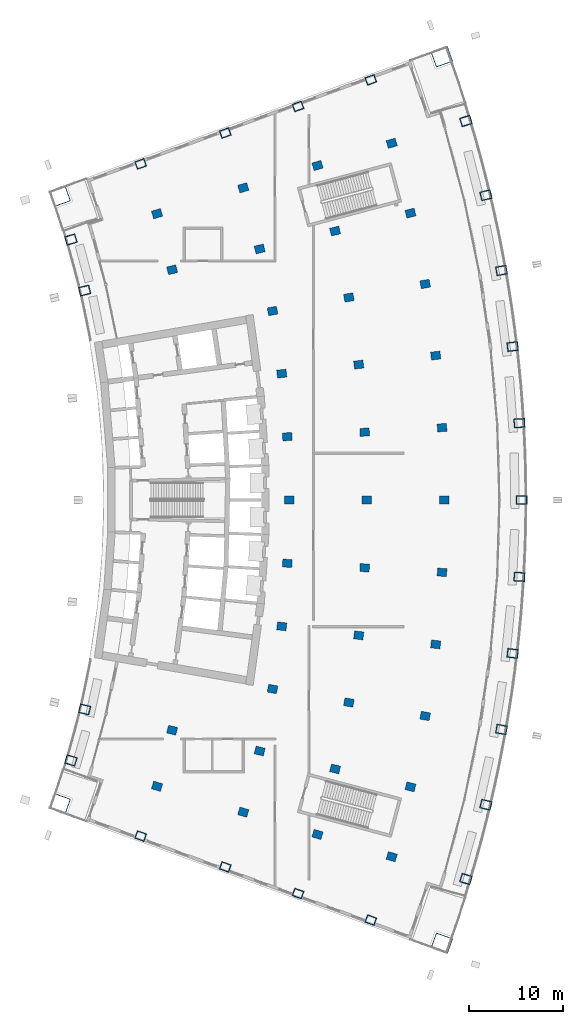
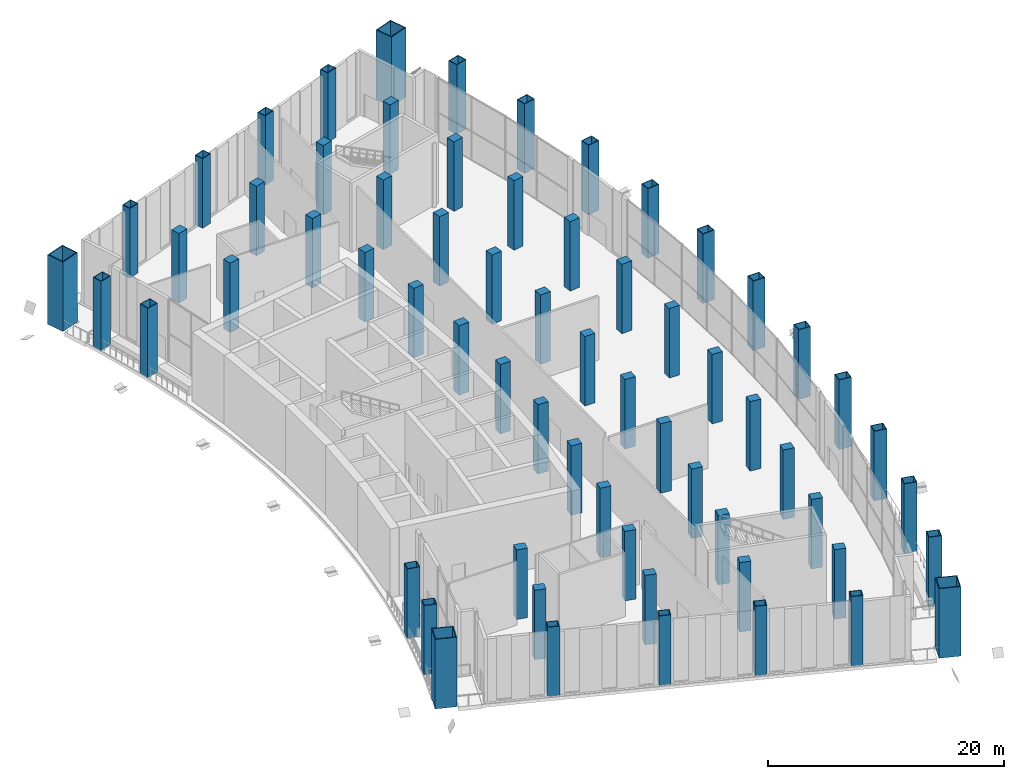
# One storey, part 1 of 18: 64 columns.
"""IFC4 building model written with IfcOpenShell, lengths in metres."""

from ifc_helpers import new_model, si_unit, direction, frame, origin, origin_2d, place, context, subcontext, project, spatial, rectangle, hollow_rectangle, extrude, material, material_profile, profile_set, type_object, element, save


model = new_model("IFC4")

# Units and contexts
model_context = context("Model", 3, precision=1e-05, world=origin(), true_north=direction((0.0, 1.0)))
body_context = subcontext(model_context, "Body", "Model", "MODEL_VIEW")
ifc_project = project(units=[si_unit("LENGTHUNIT", "METRE"), si_unit("AREAUNIT", "SQUARE_METRE"), si_unit("VOLUMEUNIT", "CUBIC_METRE"), si_unit("PLANEANGLEUNIT", "RADIAN"), si_unit("MASSUNIT", "GRAM", prefix="KILO")], contexts=[model_context])

# Site, building, storey
site_placement = place(None, origin())
site = spatial("IfcSite", under=ifc_project, at=site_placement, CompositionType="ELEMENT")
building_placement = place(site_placement, origin())
building = spatial("IfcBuilding", under=site, at=building_placement, Name="Alderwake Tower", CompositionType="ELEMENT")
storey_placement = place(building_placement, frame((0.0, 0.0, 125.60009765625)))
storey = spatial("IfcBuildingStorey", under=building, at=storey_placement, Name="L31", CompositionType="ELEMENT", Elevation=125.60009765625)

# Columns
ifc_material_1 = material(Name="Steel ASTM A572 Grade 50 concrete filled C70/85", Category="concrete")
ifc_material_profile_1 = material_profile(ifc_material_1, hollow_rectangle(XDim=0.85009765625, YDim=1.050048828125, WallThickness=0.06005859375, at=origin_2d()), Name="BOX 1050X850X60")
ifc_profile_set_1 = profile_set([ifc_material_profile_1], Name="Steel ASTM A572 Grade 50 concrete filled C70/85")
column_type_1 = type_object("IfcColumnType", Name="End column Z2", PredefinedType="COLUMN", material=ifc_profile_set_1)
for number, where, z_axis, x_axis, name in (
    (1, (19.965576171875, 25.1484375, 0.0), (0.0, 0.0, 1.0), (0.337584879279, 0.9412950915, 0.0), "Column R01-C1"),
    (2, (28.983642578125, 21.856689453125, 0.0), (0.0, 0.0, 1.0), (0.338026774049, 0.941136493834, 0.0), "Column R01-C2"),
    (3, (36.749267578125, 19.02197265625, 0.0), (0.0, 0.0, 1.0), (0.338351987283, 0.941019623973, 0.0), "Column R01-C3"),
    (4, (44.514892578125, 16.187255859375, 0.0), (0.0, 0.0, 1.0), (0.338634462954, 0.940918009446, 0.0), "Column R01-C4"),
    (5, (19.965576171875, 96.8515625, 0.0), (0.0, 0.0, 1.0), (-0.337584879279, 0.9412950915, 0.0), "Column R13-C1"),
    (6, (28.983642578125, 100.143310546875, 0.0), (0.0, 0.0, 1.0), (-0.338026774049, 0.941136493834, 0.0), "Column R13-C2"),
    (7, (36.749267578125, 102.97802734375, 0.0), (0.0, 0.0, 1.0), (-0.338351987283, 0.941019623973, 0.0), "Column R13-C3"),
    (8, (44.514892578125, 105.812744140625, 0.0), (0.0, 0.0, 1.0), (-0.338634462954, 0.940918009446, 0.0), "Column R13-C4"),
):
    element("IfcColumn", number, at=place(storey_placement, frame(where, z_axis=z_axis, x_axis=x_axis)), inside=storey, type_object=column_type_1, Name=name, PredefinedType="COLUMN", context=body_context, shape_type="SweptSolid", body=[
        extrude(hollow_rectangle(XDim=0.85009765625, YDim=1.050048828125, WallThickness=0.06005859375, at=origin_2d()), origin(), (0.0, 0.0, 1.0), 7.199951171875),
    ])
ifc_material_2 = material(Name="Concrete C70/85", Category="concrete")
ifc_material_profile_2 = material_profile(ifc_material_2, rectangle(XDim=0.85009765625, YDim=1.0, at=origin_2d()), Name="RC 1000X850")
ifc_profile_set_2 = profile_set([ifc_material_profile_2], Name="Concrete C70/85")
column_type_2 = type_object("IfcColumnType", Name="Interior column Z2", PredefinedType="COLUMN", material=ifc_profile_set_2)
for number, where, z_axis, x_axis, name in (
    (9, (21.714599609375, 30.46240234375, 0.0), (0.0, 0.0, 1.0), (0.287549418125, 0.957765802342, 0.0), "Column R02-C1"),
    (10, (30.9091796875, 27.701904296875, 0.0), (0.0, 0.0, 1.0), (0.287549418125, 0.957765802342, 0.0), "Column R02-C2"),
    (11, (38.826904296875, 25.32470703125, 0.0), (0.0, 0.0, 1.0), (0.287547746508, 0.957766304209, 0.0), "Column R02-C3"),
    (12, (46.744384765625, 22.94775390625, 0.0), (0.0, 0.0, 1.0), (0.287549418125, 0.957765802342, 0.0), "Column R02-C4"),
    (13, (23.322021484375, 36.444091796875, 0.0), (0.0, 0.0, 1.0), (0.231221547198, 0.972901123502, 0.0), "Column R03-C1"),
    (14, (32.661865234375, 34.224609375, 0.0), (0.0, 0.0, 1.0), (0.231221547198, 0.972901123502, 0.0), "Column R03-C2"),
    (15, (40.70458984375, 32.31298828125, 0.0), (0.0, 0.0, 1.0), (0.231221547198, 0.972901123502, 0.0), "Column R03-C3"),
    (16, (48.747314453125, 30.401611328125, 0.0), (0.0, 0.0, 1.0), (0.231221547198, 0.972901123502, 0.0), "Column R03-C4"),
    (17, (34.03125, 40.83837890625, 0.0), (0.0, 0.0, 1.0), (0.174108800747, 0.984726421654, 0.0), "Column R04-C2"),
    (18, (42.171875, 39.39892578125, 0.0), (0.0, 0.0, 1.0), (0.174107082075, 0.984726725529, 0.0), "Column R04-C3"),
    (19, (50.31201171875, 37.959716796875, 0.0), (0.0, 0.0, 1.0), (0.174108800747, 0.984726421654, 0.0), "Column R04-C4"),
    (20, (35.0126953125, 47.5205078125, 0.0), (0.0, 0.0, 1.0), (0.116402054316, 0.993202175668, 0.0), "Column R05-C2"),
    (21, (43.223388671875, 46.558349609375, 0.0), (0.0, 0.0, 1.0), (0.116402054316, 0.993202175668, 0.0), "Column R05-C3"),
    (22, (51.43359375, 45.59619140625, 0.0), (0.0, 0.0, 1.0), (0.116402054316, 0.993202175668, 0.0), "Column R05-C4"),
    (23, (35.60302734375, 54.248779296875, 0.0), (0.0, 0.0, 1.0), (0.058301061284, 0.998299046505, 0.0), "Column R06-C2"),
    (24, (43.855712890625, 53.766845703125, 0.0), (0.0, 0.0, 1.0), (0.058299318924, 0.998299148258, 0.0), "Column R06-C3"),
    (25, (52.108154296875, 53.284912109375, 0.0), (0.0, 0.0, 1.0), (0.058301061284, 0.998299046505, 0.0), "Column R06-C4"),
    (26, (35.800048828125, 61.0, 0.0), (0.0, 0.0, 1.0), (0.0, 1.0, 0.0), "Column R07-C2"),
    (27, (44.066650390625, 61.0, 0.0), (0.0, 0.0, 1.0), (0.0, 1.0, 0.0), "Column R07-C3"),
    (28, (52.333251953125, 61.0, 0.0), (0.0, 0.0, 1.0), (0.0, 1.0, 0.0), "Column R07-C4"),
    (29, (35.60302734375, 67.751220703125, 0.0), (0.0, 0.0, 1.0), (-0.058301061284, 0.998299046505, 0.0), "Column R08-C2"),
    (30, (43.855712890625, 68.233154296875, 0.0), (0.0, 0.0, 1.0), (-0.058299318924, 0.998299148258, 0.0), "Column R08-C3"),
    (31, (52.108154296875, 68.715087890625, 0.0), (0.0, 0.0, 1.0), (-0.058301061284, 0.998299046505, 0.0), "Column R08-C4"),
    (32, (35.0126953125, 74.4794921875, 0.0), (0.0, 0.0, 1.0), (-0.116402054316, 0.993202175668, 0.0), "Column R09-C2"),
    (33, (43.223388671875, 75.441650390625, 0.0), (0.0, 0.0, 1.0), (-0.116402054316, 0.993202175668, 0.0), "Column R09-C3"),
    (34, (51.43359375, 76.40380859375, 0.0), (0.0, 0.0, 1.0), (-0.116402054316, 0.993202175668, 0.0), "Column R09-C4"),
    (35, (34.03125, 81.16162109375, 0.0), (0.0, 0.0, 1.0), (-0.174108800747, 0.984726421654, 0.0), "Column R10-C2"),
    (36, (42.171875, 82.60107421875, 0.0), (0.0, 0.0, 1.0), (-0.174107082075, 0.984726725529, 0.0), "Column R10-C3"),
    (37, (50.31201171875, 84.040283203125, 0.0), (0.0, 0.0, 1.0), (-0.174108800747, 0.984726421654, 0.0), "Column R10-C4"),
    (38, (23.322021484375, 85.555908203125, 0.0), (0.0, 0.0, 1.0), (-0.231221547198, 0.972901123502, 0.0), "Column R11-C1"),
    (39, (32.661865234375, 87.775390625, 0.0), (0.0, 0.0, 1.0), (-0.231221547198, 0.972901123502, 0.0), "Column R11-C2"),
    (40, (40.70458984375, 89.68701171875, 0.0), (0.0, 0.0, 1.0), (-0.231221547198, 0.972901123502, 0.0), "Column R11-C3"),
    (41, (48.747314453125, 91.598388671875, 0.0), (0.0, 0.0, 1.0), (-0.231221547198, 0.972901123502, 0.0), "Column R11-C4"),
    (42, (21.714599609375, 91.53759765625, 0.0), (0.0, 0.0, 1.0), (-0.287549418125, 0.957765802342, 0.0), "Column R12-C1"),
    (43, (30.9091796875, 94.298095703125, 0.0), (0.0, 0.0, 1.0), (-0.287549418125, 0.957765802342, 0.0), "Column R12-C2"),
    (44, (38.826904296875, 96.67529296875, 0.0), (0.0, 0.0, 1.0), (-0.287547746508, 0.957766304209, 0.0), "Column R12-C3"),
    (45, (46.744384765625, 99.05224609375, 0.0), (0.0, 0.0, 1.0), (-0.287549418125, 0.957765802342, 0.0), "Column R12-C4"),
):
    element("IfcColumn", number, at=place(storey_placement, frame(where, z_axis=z_axis, x_axis=x_axis)), inside=storey, type_object=column_type_2, Name=name, PredefinedType="COLUMN", context=body_context, shape_type="SweptSolid", body=[
        extrude(rectangle(XDim=0.85009765625, YDim=1.0, at=origin_2d()), origin(), (0.0, 0.0, 1.0), 7.199951171875),
    ])
ifc_material_3 = material(Name="Steel ASTM A572 Grade 50 concrete filled C70/85", Category="concrete")
ifc_material_profile_3 = material_profile(ifc_material_3, hollow_rectangle(XDim=1.699951171875, YDim=1.89990234375, WallThickness=0.0849609375, at=origin_2d()), Name="BOX 1900X1700X85")
ifc_profile_set_3 = profile_set([ifc_material_profile_3], Name="Steel ASTM A572 Grade 50 concrete filled C70/85")
column_type_3 = type_object("IfcColumnType", Name="Mega column Z2", PredefinedType="COLUMN", material=ifc_profile_set_3)
for number, where, z_axis, x_axis, name in (
    (46, (11.330810546875, 28.622802734375, 0.0), (0.0, 0.0, 1.0), (0.334130947791, 0.942526662609, 0.0), "Column R01-C0"),
    (47, (52.09912109375, 13.736083984375, 0.0), (0.0, 0.0, 1.0), (0.336878350236, 0.941548180999, 0.0), "Column R01-C5"),
    (48, (11.330810546875, 93.377197265625, 0.0), (0.0, 0.0, 1.0), (-0.334130947791, 0.942526662609, 0.0), "Column R13-C0"),
    (49, (52.09912109375, 108.263916015625, 0.0), (0.0, 0.0, 1.0), (-0.336878350236, 0.941548180999, 0.0), "Column R13-C5"),
):
    element("IfcColumn", number, at=place(storey_placement, frame(where, z_axis=z_axis, x_axis=x_axis)), inside=storey, type_object=column_type_3, Name=name, PredefinedType="COLUMN", context=body_context, shape_type="SweptSolid", body=[
        extrude(hollow_rectangle(XDim=1.699951171875, YDim=1.89990234375, WallThickness=0.0849609375, at=origin_2d()), origin(), (0.0, 0.0, 1.0), 7.199951171875),
    ])
ifc_material_4 = material(Name="Steel ASTM A572 Grade 50 concrete filled C70/85", Category="concrete")
ifc_material_profile_4 = material_profile(ifc_material_4, hollow_rectangle(XDim=0.949951171875, YDim=1.14990234375, WallThickness=0.06005859375, at=origin_2d()), Name="BOX 1150X950X60")
ifc_profile_set_4 = profile_set([ifc_material_profile_4], Name="Steel ASTM A572 Grade 50 concrete filled C70/85")
column_type_4 = type_object("IfcColumnType", Name="Perimeter column Z2", PredefinedType="COLUMN", material=ifc_profile_set_4)
for number, where, z_axis, x_axis, name in (
    (50, (12.520263671875, 33.222900390625, 0.0), (0.0, 0.0, 1.0), (0.287549418125, 0.957765802342, 0.0), "Column R02-C0"),
    (51, (54.661865234375, 20.570556640625, 0.0), (0.0, 0.0, 1.0), (0.287549418125, 0.957765802342, 0.0), "Column R02-C5"),
    (52, (13.982177734375, 38.6640625, 0.0), (0.0, 0.0, 1.0), (0.231221547198, 0.972901123502, 0.0), "Column R03-C0"),
    (53, (56.789794921875, 28.490234375, 0.0), (0.0, 0.0, 1.0), (0.231221547198, 0.972901123502, 0.0), "Column R03-C5"),
    (54, (58.45263671875, 36.5205078125, 0.0), (0.0, 0.0, 1.0), (0.174108800747, 0.984726421654, 0.0), "Column R04-C5"),
    (55, (59.644287109375, 44.6337890625, 0.0), (0.0, 0.0, 1.0), (0.116402054316, 0.993202175668, 0.0), "Column R05-C5"),
    (56, (60.36083984375, 52.802978515625, 0.0), (0.0, 0.0, 1.0), (0.058299318924, 0.998299148258, 0.0), "Column R06-C5"),
    (57, (60.60009765625, 61.0, 0.0), (0.0, 0.0, 1.0), (0.0, 1.0, 0.0), "Column R07-C5"),
    (58, (60.36083984375, 69.197021484375, 0.0), (0.0, 0.0, 1.0), (-0.058299318924, 0.998299148258, 0.0), "Column R08-C5"),
    (59, (59.644287109375, 77.3662109375, 0.0), (0.0, 0.0, 1.0), (-0.116402054316, 0.993202175668, 0.0), "Column R09-C5"),
    (60, (58.45263671875, 85.4794921875, 0.0), (0.0, 0.0, 1.0), (-0.174108800747, 0.984726421654, 0.0), "Column R10-C5"),
    (61, (13.982177734375, 83.3359375, 0.0), (0.0, 0.0, 1.0), (-0.231221547198, 0.972901123502, 0.0), "Column R11-C0"),
    (62, (56.789794921875, 93.509765625, 0.0), (0.0, 0.0, 1.0), (-0.231221547198, 0.972901123502, 0.0), "Column R11-C5"),
    (63, (12.520263671875, 88.777099609375, 0.0), (0.0, 0.0, 1.0), (-0.287549418125, 0.957765802342, 0.0), "Column R12-C0"),
    (64, (54.661865234375, 101.429443359375, 0.0), (0.0, 0.0, 1.0), (-0.287549418125, 0.957765802342, 0.0), "Column R12-C5"),
):
    element("IfcColumn", number, at=place(storey_placement, frame(where, z_axis=z_axis, x_axis=x_axis)), inside=storey, type_object=column_type_4, Name=name, PredefinedType="COLUMN", context=body_context, shape_type="SweptSolid", body=[
        extrude(hollow_rectangle(XDim=0.949951171875, YDim=1.14990234375, WallThickness=0.06005859375, at=origin_2d()), origin(), (0.0, 0.0, 1.0), 7.199951171875),
    ])

save(model, "model.ifc")
